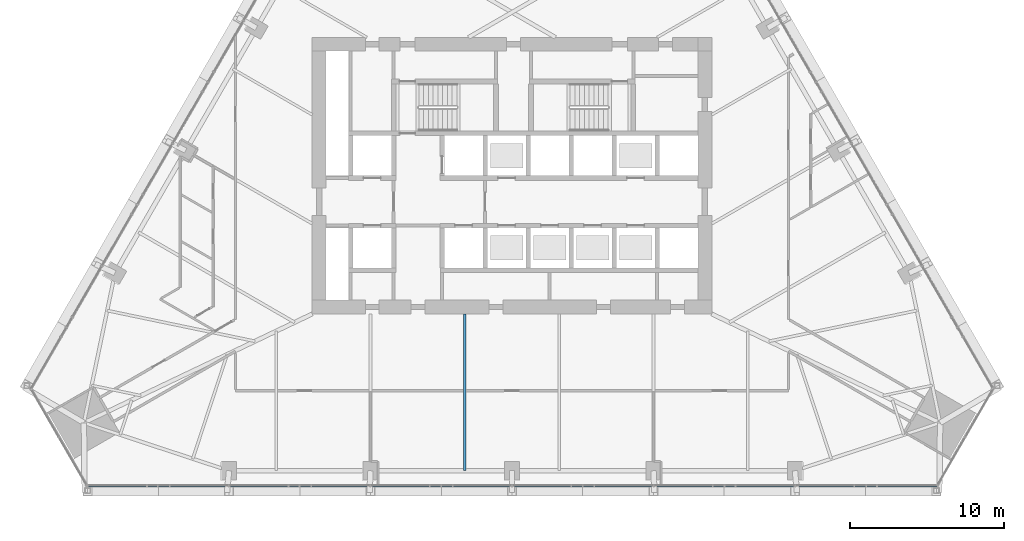
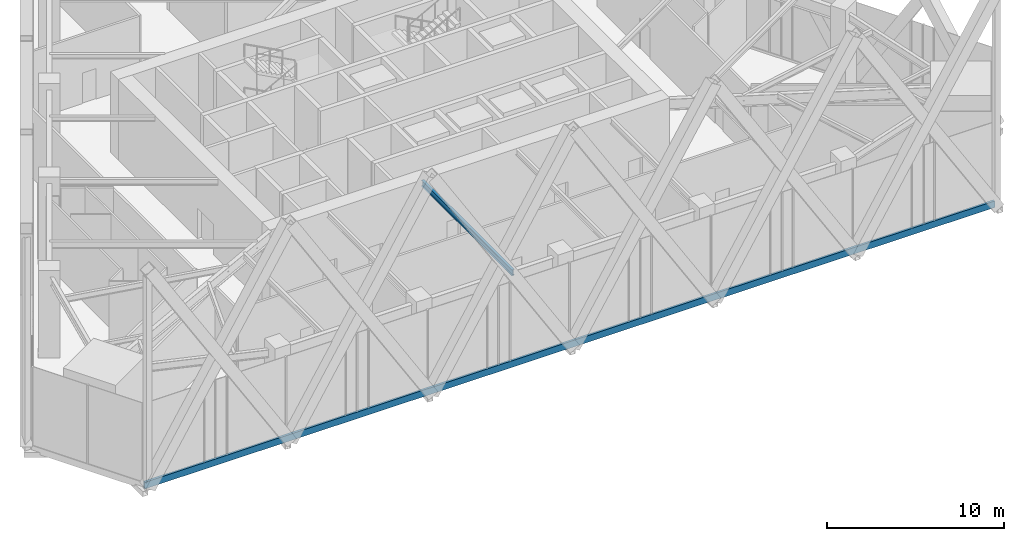
# One storey, part 3 of 21: 1 beam, 1 member, 1 element without a shape of its own.
"""IFC4 building model written with IfcOpenShell, lengths in metres."""

from ifc_helpers import new_model, si_unit, direction, frame, origin, origin_2d, place, context, subcontext, project, spatial, rectangle, i_section, extrude, material, layer, layer_set, material_profile, profile_set, type_object, element, aggregate, save


model = new_model("IFC4")

# Units and contexts
model_context = context("Model", 3, precision=1e-05, world=origin(), true_north=direction((0.0, 1.0)))
body_context = subcontext(model_context, "Body", "Model", "MODEL_VIEW")
ifc_project = project(units=[si_unit("LENGTHUNIT", "METRE"), si_unit("AREAUNIT", "SQUARE_METRE"), si_unit("VOLUMEUNIT", "CUBIC_METRE"), si_unit("PLANEANGLEUNIT", "RADIAN"), si_unit("MASSUNIT", "GRAM", prefix="KILO")], contexts=[model_context])

# Site, building, storey
site_placement = place(None, origin())
site = spatial("IfcSite", under=ifc_project, at=site_placement, CompositionType="ELEMENT")
building_placement = place(site_placement, origin())
building = spatial("IfcBuilding", under=site, at=building_placement, Name="Firuza Gate Tower and Library", CompositionType="ELEMENT")
storey_placement = place(building_placement, frame((0.0, 0.0, 140.800048828125)))
storey = spatial("IfcBuildingStorey", under=building, at=storey_placement, Name="L32", CompositionType="ELEMENT", Elevation=140.800048828125)

# Curtain wall, member
ifc_material_1 = material(Name="Aluminium 6063-T6", Category="aluminium")
ifc_layer = layer(ifc_material_1, 0.14990234375)
ifc_layer_set = layer_set([ifc_layer], Name="Unitised curtain wall, offices")
curtain_wall_type = type_object("IfcCurtainWallType", Name="Unitised curtain wall, offices", PredefinedType="NOTDEFINED", material=ifc_layer_set)
curtain_wall_placement = place(storey_placement, origin())
curtain_wall = element("IfcCurtainWall", 1, at=curtain_wall_placement, inside=storey, type_object=curtain_wall_type, Name="CW1 L32 S face", PredefinedType="NOTDEFINED")
ifc_material_2 = material(Name="Aluminium 6063-T6", Category="aluminium")
ifc_material_profile_1 = material_profile(ifc_material_2, rectangle(XDim=0.14990234375, YDim=0.449951171875, at=origin_2d()))
ifc_profile_set_1 = profile_set([ifc_material_profile_1], Name="Aluminium 6063-T6")
member_type = type_object("IfcMemberType", Name="Curtain wall transom 450x150", PredefinedType="USERDEFINED", material=ifc_profile_set_1)
member_placement = place(storey_placement, frame((47.33642578125, 54.821533203125, -0.074951171875), z_axis=(1.0, 0.0, 0.0), x_axis=(0.0, 1.0, 0.0)))
member = element("IfcMember", 2, at=member_placement, type_object=member_type, Name="Transom", ObjectType="TRANSOM", PredefinedType="USERDEFINED", context=body_context, shape_type="SweptSolid", body=[
    extrude(rectangle(XDim=0.14990234375, YDim=0.449951171875, at=origin_2d()), origin(), (0.0, 0.0, 1.0), 55.3271484375),
])
aggregate(curtain_wall, [member])

# Beam
ifc_material_3 = material(Name="Steel S355", Category="steel")
ifc_material_profile_2 = material_profile(ifc_material_3, i_section(OverallWidth=0.177978515625, OverallDepth=0.406982421875, WebThickness=0.0078125, FlangeThickness=0.0126953125, at=origin_2d()))
ifc_profile_set_2 = profile_set([ifc_material_profile_2], Name="Steel S355")
beam_type = type_object("IfcBeamType", Name="W410x60 Floor beam", PredefinedType="JOIST", material=ifc_profile_set_2)
beam_placement = place(storey_placement, frame((71.93115234375, 55.796630859375, 5.346435546875), z_axis=(0.0, 1.0, 0.0), x_axis=(-1.0, 0.0, 0.0)))
element("IfcBeam", 3, at=beam_placement, inside=storey, type_object=beam_type, Name="Floor beam L32 s22", PredefinedType="JOIST", context=body_context, shape_type="SweptSolid", body=[
    extrude(i_section(OverallWidth=0.177978515625, OverallDepth=0.406982421875, WebThickness=0.0078125, FlangeThickness=0.0126953125, at=origin_2d()), origin(), (0.0, 0.0, 1.0), 10.203369140625),
])

save(model, "model.ifc")
